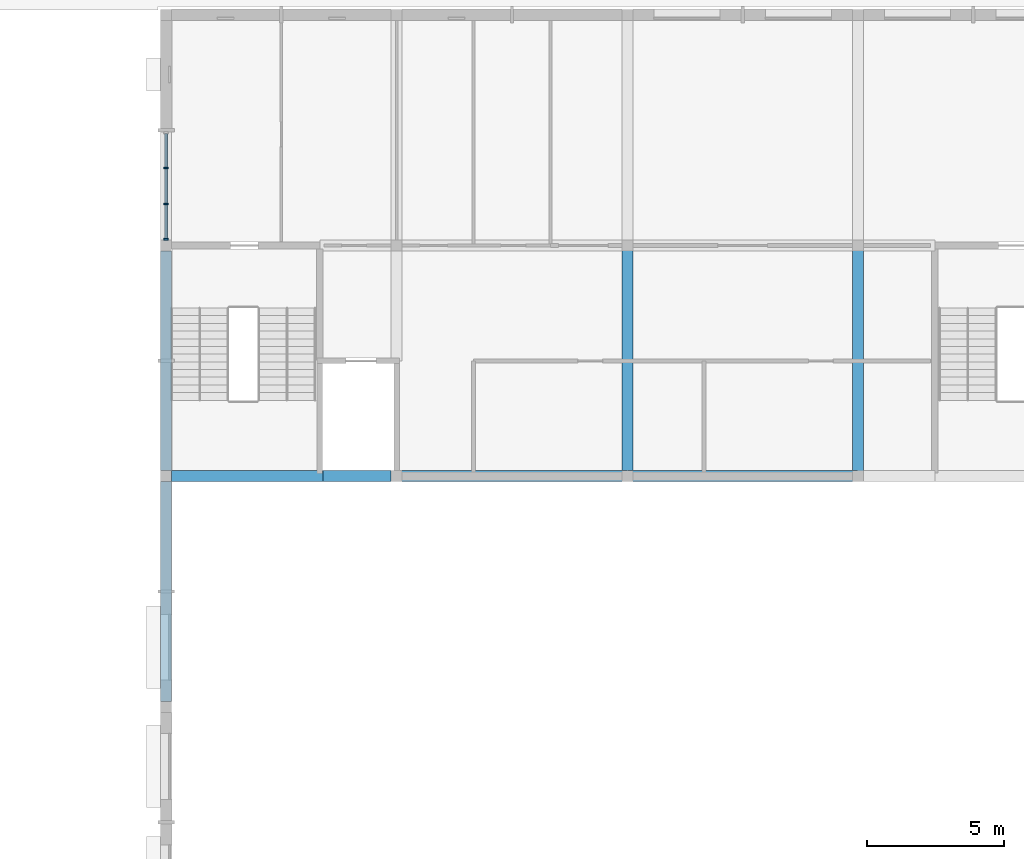
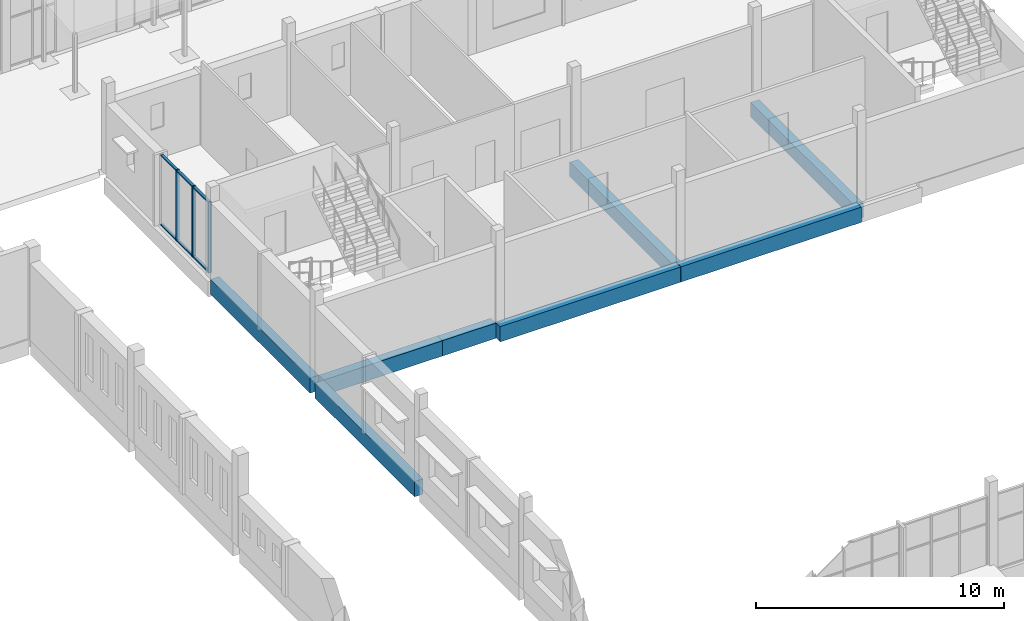
# One storey, part 21 of 60: 9 members, 8 beams, 1 element without a shape of its own.
"""IFC4 building model written with IfcOpenShell, lengths in metres."""

from ifc_helpers import new_model, si_unit, direction, frame, origin, origin_2d, place, context, subcontext, project, spatial, rectangle, extrude, material, material_profile, profile_set, type_object, element, aggregate, save


model = new_model("IFC4")

# Units and contexts
model_context = context("Model", 3, precision=1e-05, world=origin(), true_north=direction((0.0, 1.0)))
body_context = subcontext(model_context, "Body", "Model", "MODEL_VIEW")
ifc_project = project(units=[si_unit("LENGTHUNIT", "METRE"), si_unit("AREAUNIT", "SQUARE_METRE"), si_unit("VOLUMEUNIT", "CUBIC_METRE"), si_unit("PLANEANGLEUNIT", "RADIAN"), si_unit("MASSUNIT", "GRAM", prefix="KILO")], contexts=[model_context])

# Site, building, storey
site_placement = place(None, origin())
site = spatial("IfcSite", under=ifc_project, at=site_placement, CompositionType="ELEMENT")
building_placement = place(site_placement, origin())
building = spatial("IfcBuilding", under=site, at=building_placement, Name="Fescue Hill Polytechnic", CompositionType="ELEMENT")
storey_placement = place(building_placement, frame((0.0, 0.0, 4.5)))
storey = spatial("IfcBuildingStorey", under=building, at=storey_placement, Name="L01", CompositionType="ELEMENT", Elevation=4.5)

# Beams
ifc_material_1 = material(Name="Concrete 35 MPa", Category="concrete")
ifc_material_profile_1 = material_profile(ifc_material_1, rectangle(XDim=0.39990234375, YDim=0.699951171875, at=origin_2d()), Name="RC 400x700")
ifc_profile_set_1 = profile_set([ifc_material_profile_1], Name="Concrete 35 MPa")
beam_type_1 = type_object("IfcBeamType", Name="Beam RC 400x700", PredefinedType="BEAM", material=ifc_profile_set_1)
for number, where, z_axis, x_axis, name in (
    (1, (142.800048828125, 33.60009765625, -0.60009765625), (0.0, 1.0, 0.0), (-1.0, 0.0, 0.0), "BM-L01-0111"),
    (2, (151.199951171875, 33.60009765625, -0.60009765625), (0.0, 1.0, 0.0), (-1.0, 0.0, 0.0), "BM-L01-0116"),
):
    element("IfcBeam", number, at=place(storey_placement, frame(where, z_axis=z_axis, x_axis=x_axis)), inside=storey, type_object=beam_type_1, Name=name, PredefinedType="BEAM", context=body_context, shape_type="SweptSolid", body=[
        extrude(rectangle(XDim=0.39990234375, YDim=0.699951171875, at=origin_2d()), origin(), (0.0, 0.0, 1.0), 8.39990234375),
    ])
ifc_material_profile_2 = material_profile(ifc_material_1, rectangle(XDim=0.39990234375, YDim=0.75, at=origin_2d()), Name="RC 400x750")
ifc_profile_set_2 = profile_set([ifc_material_profile_2], Name="Concrete 35 MPa")
beam_type_2 = type_object("IfcBeamType", Name="Beam RC 400x750", PredefinedType="BEAM", material=ifc_profile_set_2)
beam_1_placement = place(storey_placement, frame((134.39990234375, 33.60009765625, -0.625), z_axis=(1.0, 0.0, 0.0), x_axis=(0.0, 1.0, 0.0)))
element("IfcBeam", 3, at=beam_1_placement, inside=storey, type_object=beam_type_2, Name="BM-L01-0106", PredefinedType="BEAM", context=body_context, shape_type="SweptSolid", body=[
    extrude(rectangle(XDim=0.39990234375, YDim=0.75, at=origin_2d()), origin(), (0.0, 0.0, 1.0), 8.39013671875),
])
beam_2_placement = place(storey_placement, frame((142.81005859375, 33.60009765625, -0.625), z_axis=(1.0, 0.0, 0.0), x_axis=(0.0, 1.0, 0.0)))
element("IfcBeam", 4, at=beam_2_placement, inside=storey, type_object=beam_type_2, Name="BM-L01-0113", PredefinedType="BEAM", context=body_context, shape_type="SweptSolid", body=[
    extrude(rectangle(XDim=0.39990234375, YDim=0.75, at=origin_2d()), origin(), (0.0, 0.0, 1.0), 8.3798828125),
])
for number, where, z_axis, x_axis, name in (
    (5, (126.0, 33.39990234375, -0.375), (0.0, -1.0, 0.0), (1.0, 0.0, 0.0), "BM-L01-0147"),
    (6, (126.0, 33.800048828125, -0.375), (0.0, 1.0, 0.0), (-1.0, 0.0, 0.0), "BM-L01-0148"),
):
    element("IfcBeam", number, at=place(storey_placement, frame(where, z_axis=z_axis, x_axis=x_axis)), inside=storey, type_object=beam_type_2, Name=name, PredefinedType="BEAM", context=body_context, shape_type="SweptSolid", body=[
        extrude(rectangle(XDim=0.39990234375, YDim=0.75, at=origin_2d()), origin(), (0.0, 0.0, 1.0), 8.0),
    ])
beam_3_placement = place(storey_placement, frame((126.199951171875, 33.60009765625, -0.375), z_axis=(1.0, 0.0, 0.0), x_axis=(0.0, 1.0, 0.0)))
element("IfcBeam", 7, at=beam_3_placement, inside=storey, type_object=beam_type_2, Name="BM-L01-0150", PredefinedType="BEAM", context=body_context, shape_type="SweptSolid", body=[
    extrude(rectangle(XDim=0.39990234375, YDim=0.75, at=origin_2d()), origin(), (0.0, 0.0, 1.0), 5.525146484375),
])
beam_4_placement = place(storey_placement, frame((131.72509765625, 33.60009765625, -0.375), z_axis=(1.0, 0.0, 0.0), x_axis=(0.0, 1.0, 0.0)))
element("IfcBeam", 8, at=beam_4_placement, inside=storey, type_object=beam_type_2, Name="BM-L01-0151", PredefinedType="BEAM", context=body_context, shape_type="SweptSolid", body=[
    extrude(rectangle(XDim=0.39990234375, YDim=0.75, at=origin_2d()), origin(), (0.0, 0.0, 1.0), 2.474853515625),
])

# Curtain wall, members
ifc_material_2 = material(Name="Glass", Category="glass")
curtain_wall_type = type_object("IfcCurtainWallType", Name="Curtain wall structural glazing", PredefinedType="NOTDEFINED", material=ifc_material_2)
curtain_wall_placement = place(storey_placement, origin())
curtain_wall = element("IfcCurtainWall", 9, at=curtain_wall_placement, inside=storey, type_object=curtain_wall_type, Name="CW-L01-V3-X1", PredefinedType="NOTDEFINED")
ifc_material_3 = material(Name="Powder-coated aluminium", Category="aluminium")
ifc_material_profile_3 = material_profile(ifc_material_3, rectangle(XDim=0.159912109375, YDim=0.06005859375, at=origin_2d()), Name="Mullion aluminium 60x160")
ifc_profile_set_3 = profile_set([ifc_material_profile_3], Name="Powder-coated aluminium")
member_type_1 = type_object("IfcMemberType", Name="Mullion aluminium 60x160", PredefinedType="MULLION", material=ifc_profile_set_3)
member_1_placement = place(storey_placement, frame((126.0, 44.82666015625, 0.0), z_axis=(0.0, 0.0, 1.0), x_axis=(1.0, 0.0, 0.0)))
member_1 = element("IfcMember", 10, at=member_1_placement, type_object=member_type_1, Name="CW116 mullion 2", PredefinedType="MULLION", context=body_context, shape_type="SweptSolid", body=[
    extrude(rectangle(XDim=0.159912109375, YDim=0.06005859375, at=origin_2d()), origin(), (0.0, 0.0, 1.0), 3.47998046875),
])
member_2_placement = place(storey_placement, frame((126.0, 43.513427734375, 0.0), z_axis=(0.0, 0.0, 1.0), x_axis=(1.0, 0.0, 0.0)))
member_2 = element("IfcMember", 11, at=member_2_placement, type_object=member_type_1, Name="CW116 mullion 3", PredefinedType="MULLION", context=body_context, shape_type="SweptSolid", body=[
    extrude(rectangle(XDim=0.159912109375, YDim=0.06005859375, at=origin_2d()), origin(), (0.0, 0.0, 1.0), 3.47998046875),
])
member_3_placement = place(storey_placement, frame((126.0, 42.22998046875, 0.0), z_axis=(0.0, 0.0, 1.0), x_axis=(1.0, 0.0, 0.0)))
member_3 = element("IfcMember", 12, at=member_3_placement, type_object=member_type_1, Name="CW116 mullion 4", PredefinedType="MULLION", context=body_context, shape_type="SweptSolid", body=[
    extrude(rectangle(XDim=0.159912109375, YDim=0.06005859375, at=origin_2d()), origin(), (0.0, 0.0, 1.0), 3.47998046875),
])
ifc_material_profile_4 = material_profile(ifc_material_3, rectangle(XDim=0.1201171875, YDim=0.06005859375, at=origin_2d()), Name="Transom aluminium 60x120")
ifc_profile_set_4 = profile_set([ifc_material_profile_4], Name="Powder-coated aluminium")
member_type_2 = type_object("IfcMemberType", Name="Transom aluminium 60x120", PredefinedType="USERDEFINED", material=ifc_profile_set_4)
member_4_placement = place(storey_placement, frame((126.0, 46.080078125, 0.030029296875), z_axis=(0.0, -1.0, 0.0), x_axis=(1.0, 0.0, 0.0)))
member_4 = element("IfcMember", 13, at=member_4_placement, type_object=member_type_2, Name="CW116 transom 1.1", ObjectType="TRANSOM", PredefinedType="USERDEFINED", context=body_context, shape_type="SweptSolid", body=[
    extrude(rectangle(XDim=0.1201171875, YDim=0.06005859375, at=origin_2d()), origin(), (0.0, 0.0, 1.0), 1.223388671875),
])
member_5_placement = place(storey_placement, frame((126.0, 46.080078125, 3.449951171875), z_axis=(0.0, -1.0, 0.0), x_axis=(1.0, 0.0, 0.0)))
member_5 = element("IfcMember", 14, at=member_5_placement, type_object=member_type_2, Name="CW116 transom 1.2", ObjectType="TRANSOM", PredefinedType="USERDEFINED", context=body_context, shape_type="SweptSolid", body=[
    extrude(rectangle(XDim=0.1201171875, YDim=0.06005859375, at=origin_2d()), origin(), (0.0, 0.0, 1.0), 1.223388671875),
])
member_6_placement = place(storey_placement, frame((126.0, 44.796630859375, 0.030029296875), z_axis=(0.0, -1.0, 0.0), x_axis=(1.0, 0.0, 0.0)))
member_6 = element("IfcMember", 15, at=member_6_placement, type_object=member_type_2, Name="CW116 transom 2.1", ObjectType="TRANSOM", PredefinedType="USERDEFINED", context=body_context, shape_type="SweptSolid", body=[
    extrude(rectangle(XDim=0.1201171875, YDim=0.06005859375, at=origin_2d()), origin(), (0.0, 0.0, 1.0), 1.25341796875),
])
member_7_placement = place(storey_placement, frame((126.0, 44.796630859375, 3.449951171875), z_axis=(0.0, -1.0, 0.0), x_axis=(1.0, 0.0, 0.0)))
member_7 = element("IfcMember", 16, at=member_7_placement, type_object=member_type_2, Name="CW116 transom 2.2", ObjectType="TRANSOM", PredefinedType="USERDEFINED", context=body_context, shape_type="SweptSolid", body=[
    extrude(rectangle(XDim=0.1201171875, YDim=0.06005859375, at=origin_2d()), origin(), (0.0, 0.0, 1.0), 1.25341796875),
])
member_8_placement = place(storey_placement, frame((126.0, 43.4833984375, 0.030029296875), z_axis=(0.0, -1.0, 0.0), x_axis=(1.0, 0.0, 0.0)))
member_8 = element("IfcMember", 17, at=member_8_placement, type_object=member_type_2, Name="CW116 transom 3.1", ObjectType="TRANSOM", PredefinedType="USERDEFINED", context=body_context, shape_type="SweptSolid", body=[
    extrude(rectangle(XDim=0.1201171875, YDim=0.06005859375, at=origin_2d()), origin(), (0.0, 0.0, 1.0), 1.223388671875),
])
member_9_placement = place(storey_placement, frame((126.0, 43.4833984375, 3.449951171875), z_axis=(0.0, -1.0, 0.0), x_axis=(1.0, 0.0, 0.0)))
member_9 = element("IfcMember", 18, at=member_9_placement, type_object=member_type_2, Name="CW116 transom 3.2", ObjectType="TRANSOM", PredefinedType="USERDEFINED", context=body_context, shape_type="SweptSolid", body=[
    extrude(rectangle(XDim=0.1201171875, YDim=0.06005859375, at=origin_2d()), origin(), (0.0, 0.0, 1.0), 1.223388671875),
])
aggregate(curtain_wall, [member_1, member_2, member_3, member_4, member_5, member_6, member_7, member_8, member_9])

save(model, "model.ifc")
